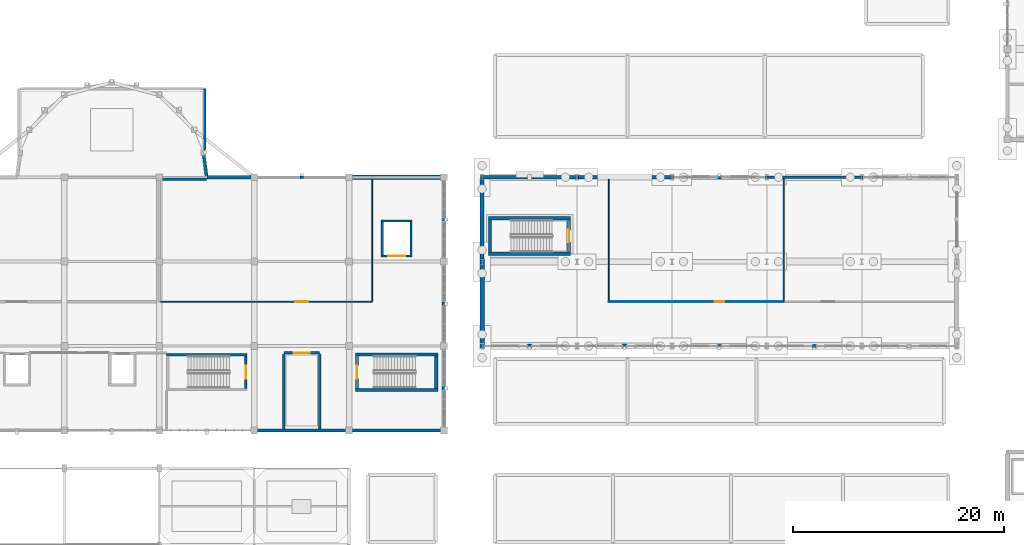
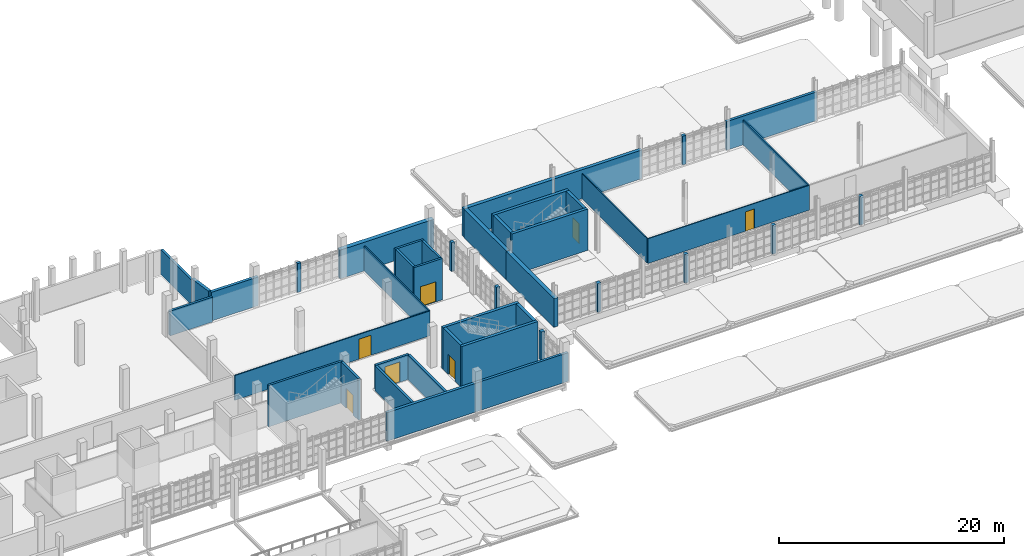
# One storey, part 105 of 125: 43 walls, 7 doors, 7 openings.
"""IFC4 building model written with IfcOpenShell, lengths in metres."""

from ifc_helpers import new_model, si_unit, direction, frame, frame_2d, origin, place, context, subcontext, project, spatial, rectangle, extrude, material, layer, layer_set, type_object, element, fill, save


model = new_model("IFC4")

# Units and contexts
model_context = context("Model", 3, precision=1e-05, world=origin(), true_north=direction((0.0, 1.0)))
body_context = subcontext(model_context, "Body", "Model", "MODEL_VIEW")
ifc_project = project(units=[si_unit("LENGTHUNIT", "METRE"), si_unit("AREAUNIT", "SQUARE_METRE"), si_unit("VOLUMEUNIT", "CUBIC_METRE"), si_unit("PLANEANGLEUNIT", "RADIAN"), si_unit("MASSUNIT", "GRAM", prefix="KILO")], contexts=[model_context])

# Site, building, storey
site_placement = place(None, origin())
site = spatial("IfcSite", under=ifc_project, at=site_placement, CompositionType="ELEMENT")
building_placement = place(site_placement, origin())
building = spatial("IfcBuilding", under=site, at=building_placement, Name="Serraforn Aerial Cableway Station", CompositionType="ELEMENT")
storey_placement = place(building_placement, frame((0.0, 0.0, 4.5)))
storey = spatial("IfcBuildingStorey", under=building, at=storey_placement, Name="L01", CompositionType="ELEMENT", Elevation=4.5)

# Wall, opening, door
ifc_material_1 = material(Name="Concrete C35/45", Category="concrete")
ifc_layer_1 = layer(ifc_material_1, 0.219970703125)
ifc_layer_set_1 = layer_set([ifc_layer_1], Name="Concrete C35/45")
wall_type_1 = type_object("IfcWallType", Name="WL-COR-220", PredefinedType="SHEAR", material=ifc_layer_set_1)
wall_1_placement = place(storey_placement, frame((71.81005859375, 25.06005859375, 0.0), z_axis=(0.0, 0.0, 1.0), x_axis=(0.0, -1.0, 0.0)))
wall_1 = element("IfcWall", 1, at=wall_1_placement, inside=storey, type_object=wall_type_1, Name="Stair Core Shear Wall WCOR-ST-05-L01-NEAR", PredefinedType="SHEAR", context=body_context, shape_type="SweptSolid", body=[
    extrude(rectangle(XDim=3.06005859375, YDim=0.219970703125, at=frame_2d((1.530029296875, 0.0))), origin(), (0.0, 0.0, 1.0), 4.5),
])
opening_1_placement = place(wall_1_placement, frame((0.905029296875, 0.0, 0.0)))
opening_1 = element("IfcOpeningElement", 2, at=opening_1_placement, cuts=wall_1, Name="Opening D-S24", PredefinedType="OPENING", context=body_context, shape_type="SweptSolid", body=[
    extrude(rectangle(XDim=1.25, YDim=2.14990234375, at=frame_2d((0.625, 1.074951171875))), frame((0.0, 0.119873046875, 0.0), z_axis=(0.0, -1.0, 0.0), x_axis=(1.0, 0.0, 0.0)), (0.0, 0.0, 1.0), 0.239990234375),
])
ifc_material_2 = material(Name="Self-closing steel stair fire door", Category="steel")
door_type_1 = type_object("IfcDoorType", Name="DR-STAIR-125", OperationType="NOTDEFINED", PredefinedType="DOOR", material=ifc_material_2)
door_1_placement = place(opening_1_placement, origin())
door_1 = element("IfcDoor", 3, at=door_1_placement, inside=storey, type_object=door_type_1, Name="Protected Stair Door D-S24", OperationType="SINGLE_SWING_RIGHT", OverallHeight=2.14990234375, OverallWidth=1.25, PredefinedType="DOOR", context=body_context, shape_type="SweptSolid", body=[
    extrude(rectangle(XDim=1.25, YDim=2.14990234375, at=frame_2d((0.625, 1.074951171875))), frame((0.0, 0.02490234375, 0.0), z_axis=(0.0, -1.0, 0.0), x_axis=(1.0, 0.0, 0.0)), (0.0, 0.0, 1.0), 0.050048828125),
])
fill(opening_1, door_1)

# Wall
wall_2_placement = place(storey_placement, frame((71.919921875, 25.169921875, 0.0), z_axis=(0.0, 0.0, 1.0), x_axis=(-1.0, 0.0, 0.0)))
element("IfcWall", 4, at=wall_2_placement, inside=storey, type_object=wall_type_1, Name="Stair Core Shear Wall WCOR-ST-05-L01-L", PredefinedType="SHEAR", context=body_context, shape_type="SweptSolid", body=[
    extrude(rectangle(XDim=7.639892578125, YDim=0.219970703125, at=frame_2d((3.81982421875, 0.0))), origin(), (0.0, 0.0, 1.0), 4.5),
])

# Wall, opening, door
wall_3_placement = place(storey_placement, frame((84.6298828125, 34.5400390625, 0.0), z_axis=(0.0, 0.0, 1.0), x_axis=(1.0, 0.0, 0.0)))
wall_3 = element("IfcWall", 5, at=wall_3_placement, inside=storey, type_object=wall_type_1, Name="Lift Shaft Shear Wall WLFT-LF-05-L01-S", PredefinedType="SHEAR", context=body_context, shape_type="SweptSolid", body=[
    extrude(rectangle(XDim=2.940185546875, YDim=0.219970703125, at=frame_2d((1.47021484375, 0.0))), origin(), (0.0, 0.0, 1.0), 4.5),
])
opening_2_placement = place(wall_3_placement, frame((0.669921875, 0.0, 0.0)))
opening_2 = element("IfcOpeningElement", 6, at=opening_2_placement, cuts=wall_3, Name="Opening LD-20", PredefinedType="OPENING", context=body_context, shape_type="SweptSolid", body=[
    extrude(rectangle(XDim=1.60009765625, YDim=2.199951171875, at=frame_2d((0.800048828125, 1.10009765625))), frame((0.0, 0.119873046875, 0.0), z_axis=(0.0, -1.0, 0.0), x_axis=(1.0, 0.0, 0.0)), (0.0, 0.0, 1.0), 0.239990234375),
])
ifc_material_3 = material(Name="Brushed stainless-steel sliding lift landing door", Category="steel")
door_type_2 = type_object("IfcDoorType", Name="DR-LIFT-160", OperationType="DOUBLE_DOOR_SLIDING", PredefinedType="DOOR", material=ifc_material_3)
door_2_placement = place(opening_2_placement, origin())
door_2 = element("IfcDoor", 7, at=door_2_placement, inside=storey, type_object=door_type_2, Name="Sliding Lift Landing Door LD-20 (LF-05 L01)", OperationType="DOUBLE_DOOR_SLIDING", OverallHeight=2.199951171875, OverallWidth=1.60009765625, PredefinedType="DOOR", context=body_context, shape_type="SweptSolid", body=[
    extrude(rectangle(XDim=1.60009765625, YDim=2.199951171875, at=frame_2d((0.800048828125, 1.10009765625))), frame((0.0, 0.02490234375, 0.0), z_axis=(0.0, -1.0, 0.0), x_axis=(1.0, 0.0, 0.0)), (0.0, 0.0, 1.0), 0.050048828125),
])
fill(opening_2, door_2)

# Walls
wall_4_placement = place(storey_placement, frame((84.6298828125, 37.860107421875, 0.0), z_axis=(0.0, 0.0, 1.0), x_axis=(1.0, 0.0, 0.0)))
element("IfcWall", 8, at=wall_4_placement, inside=storey, type_object=wall_type_1, Name="Lift Shaft Shear Wall WLFT-LF-05-L01-N", PredefinedType="SHEAR", context=body_context, shape_type="SweptSolid", body=[
    extrude(rectangle(XDim=2.940185546875, YDim=0.219970703125, at=frame_2d((1.47021484375, 0.0))), origin(), (0.0, 0.0, 1.0), 4.5),
])
for number, where, z_axis, x_axis, name in (
    (9, (84.739990234375, 34.64990234375, 0.0), (0.0, 0.0, 1.0), (0.0, 1.0, 0.0), "Lift Shaft Shear Wall WLFT-LF-05-L01-W"),
    (10, (87.4599609375, 34.64990234375, 0.0), (0.0, 0.0, 1.0), (0.0, 1.0, 0.0), "Lift Shaft Shear Wall WLFT-LF-05-L01-E"),
):
    element("IfcWall", number, at=place(storey_placement, frame(where, z_axis=z_axis, x_axis=x_axis)), inside=storey, type_object=wall_type_1, Name=name, PredefinedType="SHEAR", context=body_context, shape_type="SweptSolid", body=[
        extrude(rectangle(XDim=3.10009765625, YDim=0.219970703125, at=frame_2d((1.550048828125, 0.0))), origin(), (0.0, 0.0, 1.0), 4.5),
    ])

# Wall, opening, door
ifc_layer_2 = layer(ifc_material_1, 0.300048828125)
ifc_layer_set_2 = layer_set([ifc_layer_2], Name="Concrete C35/45")
wall_type_2 = type_object("IfcWallType", Name="WL-COR-300", PredefinedType="SHEAR", material=ifc_layer_set_2)
wall_5_placement = place(storey_placement, frame((82.35009765625, 22.0, 0.0), z_axis=(0.0, 0.0, 1.0), x_axis=(0.0, 1.0, 0.0)))
wall_5 = element("IfcWall", 11, at=wall_5_placement, inside=storey, type_object=wall_type_2, Name="Stair Core Shear Wall WCOR-ST-13-L01-NEAR", PredefinedType="SHEAR", context=body_context, shape_type="SweptSolid", body=[
    extrude(rectangle(XDim=3.06005859375, YDim=0.300048828125, at=frame_2d((1.530029296875, 0.0))), origin(), (0.0, 0.0, 1.0), 4.5),
])
opening_3_placement = place(wall_5_placement, frame((0.905029296875, 0.0, 0.0)))
opening_3 = element("IfcOpeningElement", 12, at=opening_3_placement, cuts=wall_5, Name="Opening D-S27", PredefinedType="OPENING", context=body_context, shape_type="SweptSolid", body=[
    extrude(rectangle(XDim=1.25, YDim=2.14990234375, at=frame_2d((0.625, 1.074951171875))), frame((0.0, 0.159912109375, 0.0), z_axis=(0.0, -1.0, 0.0), x_axis=(1.0, 0.0, 0.0)), (0.0, 0.0, 1.0), 0.320068359375),
])
door_3_placement = place(opening_3_placement, origin())
door_3 = element("IfcDoor", 13, at=door_3_placement, inside=storey, type_object=door_type_1, Name="Protected Stair Door D-S27", OperationType="SINGLE_SWING_RIGHT", OverallHeight=2.14990234375, OverallWidth=1.25, PredefinedType="DOOR", context=body_context, shape_type="SweptSolid", body=[
    extrude(rectangle(XDim=1.25, YDim=2.14990234375, at=frame_2d((0.625, 1.074951171875))), frame((0.0, 0.02490234375, 0.0), z_axis=(0.0, -1.0, 0.0), x_axis=(1.0, 0.0, 0.0)), (0.0, 0.0, 1.0), 0.050048828125),
])
fill(opening_3, door_3)

# Walls
wall_6_placement = place(storey_placement, frame((89.85009765625, 22.0, 0.0), z_axis=(0.0, 0.0, 1.0), x_axis=(0.0, 1.0, 0.0)))
element("IfcWall", 14, at=wall_6_placement, inside=storey, type_object=wall_type_2, Name="Stair Core Shear Wall WCOR-ST-13-L01-FAR", PredefinedType="SHEAR", context=body_context, shape_type="SweptSolid", body=[
    extrude(rectangle(XDim=3.06005859375, YDim=0.300048828125, at=frame_2d((1.530029296875, 0.0))), origin(), (0.0, 0.0, 1.0), 4.5),
])
for number, where, z_axis, x_axis, name in (
    (15, (82.199951171875, 21.85009765625, 0.0), (0.0, 0.0, 1.0), (1.0, 0.0, 0.0), "Stair Core Shear Wall WCOR-ST-13-L01-L"),
    (16, (82.199951171875, 25.2099609375, 0.0), (0.0, 0.0, 1.0), (1.0, 0.0, 0.0), "Stair Core Shear Wall WCOR-ST-13-L01-R"),
):
    element("IfcWall", number, at=place(storey_placement, frame(where, z_axis=z_axis, x_axis=x_axis)), inside=storey, type_object=wall_type_2, Name=name, PredefinedType="SHEAR", context=body_context, shape_type="SweptSolid", body=[
        extrude(rectangle(XDim=7.800048828125, YDim=0.300048828125, at=frame_2d((3.89990234375, 0.0))), origin(), (0.0, 0.0, 1.0), 4.5),
    ])

# Wall, opening, door
wall_7_placement = place(storey_placement, frame((102.449951171875, 37.9599609375, 0.0), z_axis=(0.0, 0.0, 1.0), x_axis=(0.0, -1.0, 0.0)))
wall_7 = element("IfcWall", 17, at=wall_7_placement, inside=storey, type_object=wall_type_2, Name="Stair Core Shear Wall WCOR-ST-08-L01-NEAR", PredefinedType="SHEAR", context=body_context, shape_type="SweptSolid", body=[
    extrude(rectangle(XDim=3.06005859375, YDim=0.300048828125, at=frame_2d((1.530029296875, 0.0))), origin(), (0.0, 0.0, 1.0), 4.5),
])
opening_4_placement = place(wall_7_placement, frame((0.955078125, 0.0, 0.0)))
opening_4 = element("IfcOpeningElement", 18, at=opening_4_placement, cuts=wall_7, Name="Opening D-S33", PredefinedType="OPENING", context=body_context, shape_type="SweptSolid", body=[
    extrude(rectangle(XDim=1.14990234375, YDim=2.14990234375, at=frame_2d((0.574951171875, 1.074951171875))), frame((0.0, 0.159912109375, 0.0), z_axis=(0.0, -1.0, 0.0), x_axis=(1.0, 0.0, 0.0)), (0.0, 0.0, 1.0), 0.320068359375),
])
door_type_3 = type_object("IfcDoorType", Name="DR-STAIR-115", OperationType="NOTDEFINED", PredefinedType="DOOR", material=ifc_material_2)
door_4_placement = place(opening_4_placement, origin())
door_4 = element("IfcDoor", 19, at=door_4_placement, inside=storey, type_object=door_type_3, Name="Protected Stair Door D-S33", OperationType="SINGLE_SWING_RIGHT", OverallHeight=2.14990234375, OverallWidth=1.14990234375, PredefinedType="DOOR", context=body_context, shape_type="SweptSolid", body=[
    extrude(rectangle(XDim=1.14990234375, YDim=2.14990234375, at=frame_2d((0.574951171875, 1.074951171875))), frame((0.0, 0.02490234375, 0.0), z_axis=(0.0, -1.0, 0.0), x_axis=(1.0, 0.0, 0.0)), (0.0, 0.0, 1.0), 0.050048828125),
])
fill(opening_4, door_4)

# Walls
wall_8_placement = place(storey_placement, frame((94.949951171875, 37.9599609375, 0.0), z_axis=(0.0, 0.0, 1.0), x_axis=(0.0, -1.0, 0.0)))
element("IfcWall", 20, at=wall_8_placement, inside=storey, type_object=wall_type_2, Name="Stair Core Shear Wall WCOR-ST-08-L01-FAR", PredefinedType="SHEAR", context=body_context, shape_type="SweptSolid", body=[
    extrude(rectangle(XDim=3.06005859375, YDim=0.300048828125, at=frame_2d((1.530029296875, 0.0))), origin(), (0.0, 0.0, 1.0), 4.5),
])
for number, where, z_axis, x_axis, name in (
    (21, (102.60009765625, 38.110107421875, 0.0), (0.0, 0.0, 1.0), (-1.0, 0.0, 0.0), "Stair Core Shear Wall WCOR-ST-08-L01-L"),
    (22, (102.60009765625, 34.75, 0.0), (0.0, 0.0, 1.0), (-1.0, 0.0, 0.0), "Stair Core Shear Wall WCOR-ST-08-L01-R"),
):
    element("IfcWall", number, at=place(storey_placement, frame(where, z_axis=z_axis, x_axis=x_axis)), inside=storey, type_object=wall_type_2, Name=name, PredefinedType="SHEAR", context=body_context, shape_type="SweptSolid", body=[
        extrude(rectangle(XDim=7.800048828125, YDim=0.300048828125, at=frame_2d((3.89990234375, 0.0))), origin(), (0.0, 0.0, 1.0), 4.5),
    ])
ifc_material_4 = material(Name="Insulated stuccoed terracotta facade", Category="masonry")
ifc_layer_3 = layer(ifc_material_4, 0.260009765625)
ifc_layer_set_3 = layer_set([ifc_layer_3], Name="Insulated stuccoed terracotta facade")
wall_type_3 = type_object("IfcWallType", Name="WL-EXT-260", PredefinedType="SOLIDWALL", material=ifc_layer_set_3)
wall_9_placement = place(storey_placement, frame((81.926025390625, 18.0, 0.0), z_axis=(0.0, 0.0, 1.0), x_axis=(1.0, 0.0, 0.0)))
element("IfcWall", 23, at=wall_9_placement, inside=storey, type_object=wall_type_3, Name="Exterior Wall WEXT-CV-L01-S7", PredefinedType="SOLIDWALL", context=body_context, shape_type="SweptSolid", body=[
    extrude(rectangle(XDim=8.9990234375, YDim=0.260009765625, at=frame_2d((4.49951171875, 0.0))), origin(), (0.0, 0.0, 1.0), 3.1201171875),
])
ifc_layer_4 = layer(ifc_material_4, 0.27490234375)
ifc_layer_set_4 = layer_set([ifc_layer_4], Name="Insulated stuccoed terracotta facade")
wall_type_4 = type_object("IfcWallType", Name="WL-EXT-275", PredefinedType="SOLIDWALL", material=ifc_layer_set_4)
wall_10_placement = place(storey_placement, frame((77.280029296875, 42.0, 0.0), z_axis=(0.0, 0.0, 1.0), x_axis=(-1.0, 0.0, 0.0)))
element("IfcWall", 24, at=wall_10_placement, inside=storey, type_object=wall_type_4, Name="Exterior Wall WPIER-CV-L01-N6", PredefinedType="SOLIDWALL", context=body_context, shape_type="SweptSolid", body=[
    extrude(rectangle(XDim=0.360107421875, YDim=0.27490234375, at=frame_2d((0.18017578125, 0.0))), origin(), (0.0, 0.0, 1.0), 3.1201171875),
])
wall_11_placement = place(storey_placement, frame((130.35009765625, 42.0, 0.0), z_axis=(0.0, 0.0, 1.0), x_axis=(-1.0, 0.0, 0.0)))
element("IfcWall", 25, at=wall_11_placement, inside=storey, type_object=wall_type_4, Name="Exterior Wall WEXT-EL-L01-N4", PredefinedType="SOLIDWALL", context=body_context, shape_type="SweptSolid", body=[
    extrude(rectangle(XDim=9.300048828125, YDim=0.27490234375, at=frame_2d((4.64990234375, 0.0))), origin(), (0.0, 0.0, 1.0), 3.1201171875),
])
ifc_material_5 = material(Name="Insulated fluted limestone rainscreen", Category="masonry")
ifc_layer_5 = layer(ifc_material_5, 0.2900390625)
ifc_layer_set_5 = layer_set([ifc_layer_5], Name="Insulated fluted limestone rainscreen")
wall_type_5 = type_object("IfcWallType", Name="WL-EXT-290", PredefinedType="SOLIDWALL", material=ifc_layer_set_5)
wall_12_placement = place(storey_placement, frame((72.27490234375, 18.0, 0.0), z_axis=(0.0, 0.0, 1.0), x_axis=(1.0, 0.0, 0.0)))
element("IfcWall", 26, at=wall_12_placement, inside=storey, type_object=wall_type_5, Name="Exterior Wall WEXT-CV-L01-S6", PredefinedType="SOLIDWALL", context=body_context, shape_type="SweptSolid", body=[
    extrude(rectangle(XDim=9.650146484375, YDim=0.2900390625, at=frame_2d((4.8251953125, 0.0))), origin(), (0.0, 0.0, 1.0), 3.1201171875),
])
wall_13_placement = place(storey_placement, frame((125.52001953125, 26.0, 0.0), z_axis=(0.0, 0.0, 1.0), x_axis=(1.0, 0.0, 0.0)))
element("IfcWall", 27, at=wall_13_placement, inside=storey, type_object=wall_type_5, Name="Exterior Wall WPIER-EL-L01-S4", PredefinedType="SOLIDWALL", context=body_context, shape_type="SweptSolid", body=[
    extrude(rectangle(XDim=0.35986328125, YDim=0.2900390625, at=frame_2d((0.179931640625, 0.0))), origin(), (0.0, 0.0, 1.0), 3.1201171875),
])
ifc_layer_6 = layer(ifc_material_5, 0.304931640625)
ifc_layer_set_6 = layer_set([ifc_layer_6], Name="Insulated fluted limestone rainscreen")
wall_type_6 = type_object("IfcWallType", Name="WL-EXT-305", PredefinedType="SOLIDWALL", material=ifc_layer_set_6)
wall_14_placement = place(storey_placement, frame((72.925048828125, 42.0, 0.0), z_axis=(0.0, 0.0, 1.0), x_axis=(-1.0, 0.0, 0.0)))
element("IfcWall", 28, at=wall_14_placement, inside=storey, type_object=wall_type_6, Name="Exterior Wall WEXT-CV-L01-N5", PredefinedType="SOLIDWALL", context=body_context, shape_type="SweptSolid", body=[
    extrude(rectangle(XDim=4.824951171875, YDim=0.304931640625, at=frame_2d((2.41259765625, 0.0))), origin(), (0.0, 0.0, 1.0), 3.1201171875),
])
wall_15_placement = place(storey_placement, frame((68.080078125, 42.15087890625, 0.0), z_axis=(0.0, 0.0, 1.0), x_axis=(-0.130556465889, 0.9914408753, 0.0)))
element("IfcWall", 29, at=wall_15_placement, inside=storey, type_object=wall_type_6, Name="Exterior Wall WEXT-AP-L01-R12", PredefinedType="SOLIDWALL", context=body_context, shape_type="SweptSolid", body=[
    extrude(rectangle(XDim=2.477783203125, YDim=0.304931640625, at=frame_2d((1.23876953125, 0.0))), origin(), (0.0, 0.0, 1.0), 3.1201171875),
])
wall_16_placement = place(storey_placement, frame((116.8798828125, 42.0, 0.0), z_axis=(0.0, 0.0, 1.0), x_axis=(-1.0, 0.0, 0.0)))
element("IfcWall", 30, at=wall_16_placement, inside=storey, type_object=wall_type_6, Name="Exterior Wall WPIER-EL-L01-N3", PredefinedType="SOLIDWALL", context=body_context, shape_type="SweptSolid", body=[
    extrude(rectangle(XDim=0.35986328125, YDim=0.304931640625, at=frame_2d((0.179931640625, 0.0))), origin(), (0.0, 0.0, 1.0), 3.1201171875),
])
ifc_layer_7 = layer(ifc_material_5, 0.320068359375)
ifc_layer_set_7 = layer_set([ifc_layer_7], Name="Insulated fluted limestone rainscreen")
wall_type_7 = type_object("IfcWallType", Name="WL-EXT-320", PredefinedType="SOLIDWALL", material=ifc_layer_set_7)
wall_17_placement = place(storey_placement, frame((116.52001953125, 26.0, 0.0), z_axis=(0.0, 0.0, 1.0), x_axis=(1.0, 0.0, 0.0)))
element("IfcWall", 31, at=wall_17_placement, inside=storey, type_object=wall_type_7, Name="Exterior Wall WPIER-EL-L01-S3", PredefinedType="SOLIDWALL", context=body_context, shape_type="SweptSolid", body=[
    extrude(rectangle(XDim=0.35986328125, YDim=0.320068359375, at=frame_2d((0.179931640625, 0.0))), origin(), (0.0, 0.0, 1.0), 3.1201171875),
])
ifc_layer_8 = layer(ifc_material_5, 0.3349609375)
ifc_layer_set_8 = layer_set([ifc_layer_8], Name="Insulated fluted limestone rainscreen")
wall_type_8 = type_object("IfcWallType", Name="WL-EXT-335", PredefinedType="SOLIDWALL", material=ifc_layer_set_8)
wall_18_placement = place(storey_placement, frame((90.60009765625, 37.820068359375, 0.0), z_axis=(0.0, 0.0, 1.0), x_axis=(0.0, 1.0, 0.0)))
element("IfcWall", 32, at=wall_18_placement, inside=storey, type_object=wall_type_8, Name="Exterior Wall WPIER-CV-L01-E3", PredefinedType="SOLIDWALL", context=body_context, shape_type="SweptSolid", body=[
    extrude(rectangle(XDim=0.35986328125, YDim=0.3349609375, at=frame_2d((0.179931640625, 0.0))), origin(), (0.0, 0.0, 1.0), 3.1201171875),
])
wall_19_placement = place(storey_placement, frame((112.35009765625, 42.0, 0.0), z_axis=(0.0, 0.0, 1.0), x_axis=(-1.0, 0.0, 0.0)))
element("IfcWall", 33, at=wall_19_placement, inside=storey, type_object=wall_type_8, Name="Exterior Wall WEXT-EL-L01-N2", PredefinedType="SOLIDWALL", context=body_context, shape_type="SweptSolid", body=[
    extrude(rectangle(XDim=8.9990234375, YDim=0.3349609375, at=frame_2d((4.49951171875, 0.0))), origin(), (0.0, 0.0, 1.0), 3.1201171875),
])
ifc_material_6 = material(Name="Montjuic sandstone ashlar masonry", Category="masonry")
ifc_layer_9 = layer(ifc_material_6, 0.35009765625)
ifc_layer_set_9 = layer_set([ifc_layer_9], Name="Montjuic sandstone ashlar masonry")
wall_type_9 = type_object("IfcWallType", Name="WL-EXT-350", PredefinedType="SOLIDWALL", material=ifc_layer_set_9)
wall_20_placement = place(storey_placement, frame((107.52001953125, 26.0, 0.0), z_axis=(0.0, 0.0, 1.0), x_axis=(1.0, 0.0, 0.0)))
element("IfcWall", 34, at=wall_20_placement, inside=storey, type_object=wall_type_9, Name="Exterior Wall WPIER-EL-L01-S2", PredefinedType="SOLIDWALL", context=body_context, shape_type="SweptSolid", body=[
    extrude(rectangle(XDim=0.35986328125, YDim=0.35009765625, at=frame_2d((0.179931640625, 0.0))), origin(), (0.0, 0.0, 1.0), 3.1201171875),
])
ifc_layer_10 = layer(ifc_material_6, 0.364990234375)
ifc_layer_set_10 = layer_set([ifc_layer_10], Name="Montjuic sandstone ashlar masonry")
wall_type_10 = type_object("IfcWallType", Name="WL-EXT-365", PredefinedType="SOLIDWALL", material=ifc_layer_set_10)
wall_21_placement = place(storey_placement, frame((90.60009765625, 29.820068359375, 0.0), z_axis=(0.0, 0.0, 1.0), x_axis=(0.0, 1.0, 0.0)))
element("IfcWall", 35, at=wall_21_placement, inside=storey, type_object=wall_type_10, Name="Exterior Wall WPIER-CV-L01-E2", PredefinedType="SOLIDWALL", context=body_context, shape_type="SweptSolid", body=[
    extrude(rectangle(XDim=0.35986328125, YDim=0.364990234375, at=frame_2d((0.179931640625, 0.0))), origin(), (0.0, 0.0, 1.0), 3.1201171875),
])
wall_22_placement = place(storey_placement, frame((103.35009765625, 42.0, 0.0), z_axis=(0.0, 0.0, 1.0), x_axis=(-1.0, 0.0, 0.0)))
element("IfcWall", 36, at=wall_22_placement, inside=storey, type_object=wall_type_10, Name="Exterior Wall WEXT-EL-L01-N1", PredefinedType="SOLIDWALL", context=body_context, shape_type="SweptSolid", body=[
    extrude(rectangle(XDim=9.300048828125, YDim=0.364990234375, at=frame_2d((4.64990234375, 0.0))), origin(), (0.0, 0.0, 1.0), 3.1201171875),
])
ifc_layer_11 = layer(ifc_material_6, 0.3798828125)
ifc_layer_set_11 = layer_set([ifc_layer_11], Name="Montjuic sandstone ashlar masonry")
wall_type_11 = type_object("IfcWallType", Name="WL-EXT-380", PredefinedType="SOLIDWALL", material=ifc_layer_set_11)
wall_23_placement = place(storey_placement, frame((98.52001953125, 26.0, 0.0), z_axis=(0.0, 0.0, 1.0), x_axis=(1.0, 0.0, 0.0)))
element("IfcWall", 37, at=wall_23_placement, inside=storey, type_object=wall_type_11, Name="Exterior Wall WPIER-EL-L01-S1", PredefinedType="SOLIDWALL", context=body_context, shape_type="SweptSolid", body=[
    extrude(rectangle(XDim=0.35986328125, YDim=0.3798828125, at=frame_2d((0.179931640625, 0.0))), origin(), (0.0, 0.0, 1.0), 3.1201171875),
])
wall_24_placement = place(storey_placement, frame((94.199951171875, 41.81640625, 0.0), z_axis=(0.0, 0.0, 1.0), x_axis=(0.0, -1.0, 0.0)))
element("IfcWall", 38, at=wall_24_placement, inside=storey, type_object=wall_type_11, Name="Exterior Wall WEXT-EL-L01-W2", PredefinedType="SOLIDWALL", context=body_context, shape_type="SweptSolid", body=[
    extrude(rectangle(XDim=7.5654296875, YDim=0.3798828125, at=frame_2d((3.78271484375, 0.0))), origin(), (0.0, 0.0, 1.0), 3.1201171875),
])
ifc_layer_12 = layer(ifc_material_6, 0.39990234375)
ifc_layer_set_12 = layer_set([ifc_layer_12], Name="Montjuic sandstone ashlar masonry")
wall_type_12 = type_object("IfcWallType", Name="WL-EXT-400", PredefinedType="SOLIDWALL", material=ifc_layer_set_12)
wall_25_placement = place(storey_placement, frame((90.60009765625, 21.820068359375, 0.0), z_axis=(0.0, 0.0, 1.0), x_axis=(0.0, 1.0, 0.0)))
element("IfcWall", 39, at=wall_25_placement, inside=storey, type_object=wall_type_12, Name="Exterior Wall WPIER-CV-L01-E1", PredefinedType="SOLIDWALL", context=body_context, shape_type="SweptSolid", body=[
    extrude(rectangle(XDim=0.35986328125, YDim=0.39990234375, at=frame_2d((0.179931640625, 0.0))), origin(), (0.0, 0.0, 1.0), 3.1201171875),
])
ifc_layer_13 = layer(ifc_material_6, 0.4150390625)
ifc_layer_set_13 = layer_set([ifc_layer_13], Name="Montjuic sandstone ashlar masonry")
wall_type_13 = type_object("IfcWallType", Name="WL-EXT-415", PredefinedType="SOLIDWALL", material=ifc_layer_set_13)
wall_26_placement = place(storey_placement, frame((94.199951171875, 34.25, 0.0), z_axis=(0.0, 0.0, 1.0), x_axis=(0.0, -1.0, 0.0)))
element("IfcWall", 40, at=wall_26_placement, inside=storey, type_object=wall_type_13, Name="Exterior Wall WEXT-EL-L01-W1", PredefinedType="SOLIDWALL", context=body_context, shape_type="SweptSolid", body=[
    extrude(rectangle(XDim=8.5, YDim=0.4150390625, at=frame_2d((4.25, 0.0))), origin(), (0.0, 0.0, 1.0), 3.1201171875),
])
ifc_layer_14 = layer(ifc_material_6, 0.429931640625)
ifc_layer_set_14 = layer_set([ifc_layer_14], Name="Montjuic sandstone ashlar masonry")
wall_type_14 = type_object("IfcWallType", Name="WL-EXT-430", PredefinedType="SOLIDWALL", material=ifc_layer_set_14)
wall_27_placement = place(storey_placement, frame((90.925048828125, 42.0, 0.0), z_axis=(0.0, 0.0, 1.0), x_axis=(-1.0, 0.0, 0.0)))
element("IfcWall", 41, at=wall_27_placement, inside=storey, type_object=wall_type_14, Name="Exterior Wall WEXT-CV-L01-N7", PredefinedType="SOLIDWALL", context=body_context, shape_type="SweptSolid", body=[
    extrude(rectangle(XDim=9.650146484375, YDim=0.429931640625, at=frame_2d((4.8251953125, 0.0))), origin(), (0.0, 0.0, 1.0), 3.1201171875),
])
ifc_material_7 = material(Name="Concrete C30/37", Category="concrete")
ifc_layer_15 = layer(ifc_material_7, 0.241943359375)
ifc_layer_set_15 = layer_set([ifc_layer_15], Name="Concrete C30/37")
wall_type_15 = type_object("IfcWallType", Name="WL-FIR-242", PredefinedType="SOLIDWALL", material=ifc_layer_set_15)
wall_28_placement = place(storey_placement, frame((67.89990234375, 50.39990234375, 0.0), z_axis=(0.0, 0.0, 1.0), x_axis=(0.0, -1.0, 0.0)))
element("IfcWall", 42, at=wall_28_placement, inside=storey, type_object=wall_type_15, Name="Interior Partition WPRT-L01-06-128", PredefinedType="SOLIDWALL", context=body_context, shape_type="SweptSolid", body=[
    extrude(rectangle(XDim=5.7724609375, YDim=0.241943359375, at=frame_2d((2.88623046875, 0.0))), origin(), (0.0, 0.0, 1.0), 2.699951171875),
])
ifc_material_8 = material(Name="Operable acoustic auditorium partition")
ifc_layer_16 = layer(ifc_material_8, 0.1259765625)
ifc_layer_set_16 = layer_set([ifc_layer_16], Name="Operable acoustic auditorium partition")
wall_type_16 = type_object("IfcWallType", Name="WL-MOV-126", PredefinedType="MOVABLE", material=ifc_layer_set_16)
wall_29_placement = place(storey_placement, frame((122.800048828125, 41.861572265625, 0.0), z_axis=(0.0, 0.0, 1.0), x_axis=(0.0, -1.0, 0.0)))
element("IfcWall", 43, at=wall_29_placement, inside=storey, type_object=wall_type_16, Name="Interior Partition WPRT-L01-13-136", PredefinedType="MOVABLE", context=body_context, shape_type="SweptSolid", body=[
    extrude(rectangle(XDim=11.593017578125, YDim=0.1259765625, at=frame_2d((5.79638671875, 0.0))), origin(), (0.0, 0.0, 1.0), 2.699951171875),
])
ifc_material_9 = material(Name="Sanitary service chase partition")
ifc_layer_17 = layer(ifc_material_9, 0.22802734375)
ifc_layer_set_17 = layer_set([ifc_layer_17], Name="Sanitary service chase partition")
wall_type_17 = type_object("IfcWallType", Name="WL-PLM-228", PredefinedType="PLUMBINGWALL", material=ifc_layer_set_17)
wall_30_placement = place(storey_placement, frame((75.39990234375, 18.14599609375, 0.0), z_axis=(0.0, 0.0, 1.0), x_axis=(0.0, 1.0, 0.0)))
element("IfcWall", 44, at=wall_30_placement, inside=storey, type_object=wall_type_17, Name="Interior Partition WPRT-L01-08-111", PredefinedType="PLUMBINGWALL", context=body_context, shape_type="SweptSolid", body=[
    extrude(rectangle(XDim=7.089111328125, YDim=0.22802734375, at=frame_2d((3.54443359375, 0.0))), origin(), (0.0, 0.0, 1.0), 2.699951171875),
])

# Wall, opening, door
wall_31_placement = place(storey_placement, frame((75.39990234375, 25.35009765625, 0.0), z_axis=(0.0, 0.0, 1.0), x_axis=(1.0, 0.0, 0.0)))
wall_31 = element("IfcWall", 45, at=wall_31_placement, inside=storey, type_object=wall_type_17, Name="Interior Partition WPRT-L01-08-112", PredefinedType="PLUMBINGWALL", context=body_context, shape_type="SweptSolid", body=[
    extrude(rectangle(XDim=3.400146484375, YDim=0.22802734375, at=frame_2d((1.7001953125, 0.0))), origin(), (0.0, 0.0, 1.0), 2.699951171875),
])
opening_5_placement = place(wall_31_placement, frame((0.93994140625, 0.0, 0.0)))
opening_5 = element("IfcOpeningElement", 46, at=opening_5_placement, cuts=wall_31, Name="Opening DI-036", PredefinedType="OPENING", context=body_context, shape_type="SweptSolid", body=[
    extrude(rectangle(XDim=1.52001953125, YDim=2.199951171875, at=frame_2d((0.760009765625, 1.10009765625))), frame((0.0, 0.1240234375, 0.0), z_axis=(0.0, -1.0, 0.0), x_axis=(1.0, 0.0, 0.0)), (0.0, 0.0, 1.0), 0.248046875),
])
ifc_material_10 = material(Name="Double-leaf glazed concourse door")
door_type_4 = type_object("IfcDoorType", Name="DR-INT-152", OperationType="NOTDEFINED", PredefinedType="DOOR", material=ifc_material_10)
door_5_placement = place(opening_5_placement, origin())
door_5 = element("IfcDoor", 47, at=door_5_placement, inside=storey, type_object=door_type_4, Name="Room Door DI-036 (L01-08)", OperationType="SINGLE_SWING_LEFT", OverallHeight=2.199951171875, OverallWidth=1.52001953125, PredefinedType="DOOR", context=body_context, shape_type="SweptSolid", body=[
    extrude(rectangle(XDim=1.52001953125, YDim=2.199951171875, at=frame_2d((0.760009765625, 1.10009765625))), frame((0.0, 0.02490234375, 0.0), z_axis=(0.0, -1.0, 0.0), x_axis=(1.0, 0.0, 0.0)), (0.0, 0.0, 1.0), 0.050048828125),
])
fill(opening_5, door_5)

# Wall
wall_32_placement = place(storey_placement, frame((78.800048828125, 25.235107421875, 0.0), z_axis=(0.0, 0.0, 1.0), x_axis=(0.0, -1.0, 0.0)))
element("IfcWall", 48, at=wall_32_placement, inside=storey, type_object=wall_type_17, Name="Interior Partition WPRT-L01-08-113", PredefinedType="PLUMBINGWALL", context=body_context, shape_type="SweptSolid", body=[
    extrude(rectangle(XDim=7.089111328125, YDim=0.22802734375, at=frame_2d((3.54443359375, 0.0))), origin(), (0.0, 0.0, 1.0), 2.699951171875),
])

# Wall, opening, door
ifc_material_11 = material(Name="Glazed acoustic timber-framed partition", Category="wood")
ifc_layer_18 = layer(ifc_material_11, 0.092041015625)
ifc_layer_set_18 = layer_set([ifc_layer_18], Name="Glazed acoustic timber-framed partition")
wall_type_18 = type_object("IfcWallType", Name="WL-PRT-092", PredefinedType="PARTITIONING", material=ifc_layer_set_18)
wall_33_placement = place(storey_placement, frame((122.800048828125, 30.199951171875, 0.0), z_axis=(0.0, 0.0, 1.0), x_axis=(-1.0, 0.0, 0.0)))
wall_33 = element("IfcWall", 49, at=wall_33_placement, inside=storey, type_object=wall_type_18, Name="Interior Partition WPRT-L01-13-137", PredefinedType="PARTITIONING", context=body_context, shape_type="SweptSolid", body=[
    extrude(rectangle(XDim=16.60009765625, YDim=0.092041015625, at=frame_2d((8.300048828125, 0.0))), origin(), (0.0, 0.0, 1.0), 2.699951171875),
])
opening_6_placement = place(wall_33_placement, frame((5.659912109375, 0.0, 0.0)))
opening_6 = element("IfcOpeningElement", 50, at=opening_6_placement, cuts=wall_33, Name="Opening DI-042", PredefinedType="OPENING", context=body_context, shape_type="SweptSolid", body=[
    extrude(rectangle(XDim=0.8798828125, YDim=2.10009765625, at=frame_2d((0.43994140625, 1.050048828125))), frame((0.0, 0.055908203125, 0.0), z_axis=(0.0, -1.0, 0.0), x_axis=(1.0, 0.0, 0.0)), (0.0, 0.0, 1.0), 0.112060546875),
])
ifc_material_12 = material(Name="Timber acoustic veneer leaf", Category="wood")
door_type_5 = type_object("IfcDoorType", Name="DR-INT-088", OperationType="NOTDEFINED", PredefinedType="DOOR", material=ifc_material_12)
door_6_placement = place(opening_6_placement, origin())
door_6 = element("IfcDoor", 51, at=door_6_placement, inside=storey, type_object=door_type_5, Name="Room Door DI-042 (L01-13)", OperationType="SINGLE_SWING_LEFT", OverallHeight=2.10009765625, OverallWidth=0.8798828125, PredefinedType="DOOR", context=body_context, shape_type="SweptSolid", body=[
    extrude(rectangle(XDim=0.8798828125, YDim=2.10009765625, at=frame_2d((0.43994140625, 1.050048828125))), frame((0.0, 0.02490234375, 0.0), z_axis=(0.0, -1.0, 0.0), x_axis=(1.0, 0.0, 0.0)), (0.0, 0.0, 1.0), 0.050048828125),
])
fill(opening_6, door_6)

# Wall
ifc_layer_19 = layer(ifc_material_11, 0.10205078125)
ifc_layer_set_19 = layer_set([ifc_layer_19], Name="Glazed acoustic timber-framed partition")
wall_type_19 = type_object("IfcWallType", Name="WL-PRT-102", PredefinedType="PARTITIONING", material=ifc_layer_set_19)
wall_34_placement = place(storey_placement, frame((106.199951171875, 30.2470703125, 0.0), z_axis=(0.0, 0.0, 1.0), x_axis=(0.0, 1.0, 0.0)))
element("IfcWall", 52, at=wall_34_placement, inside=storey, type_object=wall_type_19, Name="Interior Partition WPRT-L01-13-135", PredefinedType="PARTITIONING", context=body_context, shape_type="SweptSolid", body=[
    extrude(rectangle(XDim=11.58447265625, YDim=0.10205078125, at=frame_2d((5.792236328125, 0.0))), origin(), (0.0, 0.0, 1.0), 2.699951171875),
])

# Wall, opening, door
ifc_material_13 = material(Name="Metal-stud gypsum partition")
ifc_layer_20 = layer(ifc_material_13, 0.110107421875)
ifc_layer_set_20 = layer_set([ifc_layer_20], Name="Metal-stud gypsum partition")
wall_type_20 = type_object("IfcWallType", Name="WL-PRT-110", PredefinedType="PARTITIONING", material=ifc_layer_set_20)
wall_35_placement = place(storey_placement, frame((83.800048828125, 30.199951171875, 0.0), z_axis=(0.0, 0.0, 1.0), x_axis=(-1.0, 0.0, 0.0)))
wall_35 = element("IfcWall", 53, at=wall_35_placement, inside=storey, type_object=wall_type_20, Name="Interior Partition WPRT-L01-07-133", PredefinedType="PARTITIONING", context=body_context, shape_type="SweptSolid", body=[
    extrude(rectangle(XDim=20.078125, YDim=0.110107421875, at=frame_2d((10.0390625, 0.0))), origin(), (0.0, 0.0, 1.0), 2.699951171875),
])
opening_7_placement = place(wall_35_placement, frame((6.070068359375, 0.0, 0.0)))
opening_7 = element("IfcOpeningElement", 54, at=opening_7_placement, cuts=wall_35, Name="Opening DI-040", PredefinedType="OPENING", context=body_context, shape_type="SweptSolid", body=[
    extrude(rectangle(XDim=1.260009765625, YDim=2.179931640625, at=frame_2d((0.6298828125, 1.08984375))), frame((0.0, 0.06494140625, 0.0), z_axis=(0.0, -1.0, 0.0), x_axis=(1.0, 0.0, 0.0)), (0.0, 0.0, 1.0), 0.130126953125),
])
ifc_material_14 = material(Name="Double-leaf acoustic veneer door")
door_type_6 = type_object("IfcDoorType", Name="DR-INT-126U", OperationType="NOTDEFINED", PredefinedType="DOOR", material=ifc_material_14)
door_7_placement = place(opening_7_placement, origin())
door_7 = element("IfcDoor", 55, at=door_7_placement, inside=storey, type_object=door_type_6, Name="Room Door DI-040 (L01-07)", OperationType="SINGLE_SWING_LEFT", OverallHeight=2.179931640625, OverallWidth=1.260009765625, PredefinedType="DOOR", context=body_context, shape_type="SweptSolid", body=[
    extrude(rectangle(XDim=1.260009765625, YDim=2.179931640625, at=frame_2d((0.6298828125, 1.08984375))), frame((0.0, 0.02490234375, 0.0), z_axis=(0.0, -1.0, 0.0), x_axis=(1.0, 0.0, 0.0)), (0.0, 0.0, 1.0), 0.050048828125),
])
fill(opening_7, door_7)

# Walls
ifc_layer_21 = layer(ifc_material_13, 0.114013671875)
ifc_layer_set_21 = layer_set([ifc_layer_21], Name="Metal-stud gypsum partition")
wall_type_21 = type_object("IfcWallType", Name="WL-PRT-114", PredefinedType="PARTITIONING", material=ifc_layer_set_21)
wall_36_placement = place(storey_placement, frame((83.800048828125, 41.783935546875, 0.0), z_axis=(0.0, 0.0, 1.0), x_axis=(0.0, -1.0, 0.0)))
element("IfcWall", 56, at=wall_36_placement, inside=storey, type_object=wall_type_21, Name="Interior Partition WPRT-L01-07-132", PredefinedType="PARTITIONING", context=body_context, shape_type="SweptSolid", body=[
    extrude(rectangle(XDim=11.52783203125, YDim=0.114013671875, at=frame_2d((5.763916015625, 0.0))), origin(), (0.0, 0.0, 1.0), 2.699951171875),
])
ifc_material_15 = material(Name="Acoustic masonry blockwork", Category="masonry")
ifc_layer_22 = layer(ifc_material_15, 0.235107421875)
ifc_layer_set_22 = layer_set([ifc_layer_22], Name="Acoustic masonry blockwork")
wall_type_22 = type_object("IfcWallType", Name="WL-PRT-235", PredefinedType="PARTITIONING", material=ifc_layer_set_22)
wall_37_placement = place(storey_placement, frame((68.09912109375, 41.800048828125, 0.0), z_axis=(0.0, 0.0, 1.0), x_axis=(-1.0, 0.0, 0.0)))
element("IfcWall", 57, at=wall_37_placement, inside=storey, type_object=wall_type_22, Name="Interior Partition WPRT-L01-06-129", PredefinedType="PARTITIONING", context=body_context, shape_type="SweptSolid", body=[
    extrude(rectangle(XDim=4.377197265625, YDim=0.235107421875, at=frame_2d((2.1884765625, 0.0))), origin(), (0.0, 0.0, 1.0), 2.699951171875),
])

save(model, "model.ifc")
